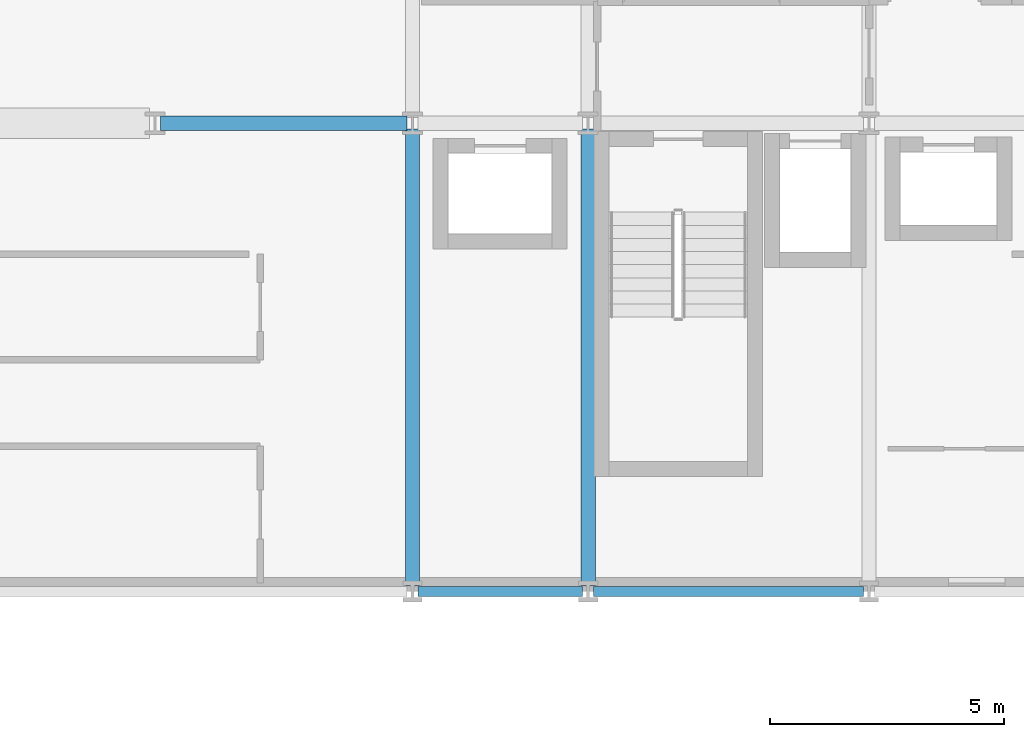
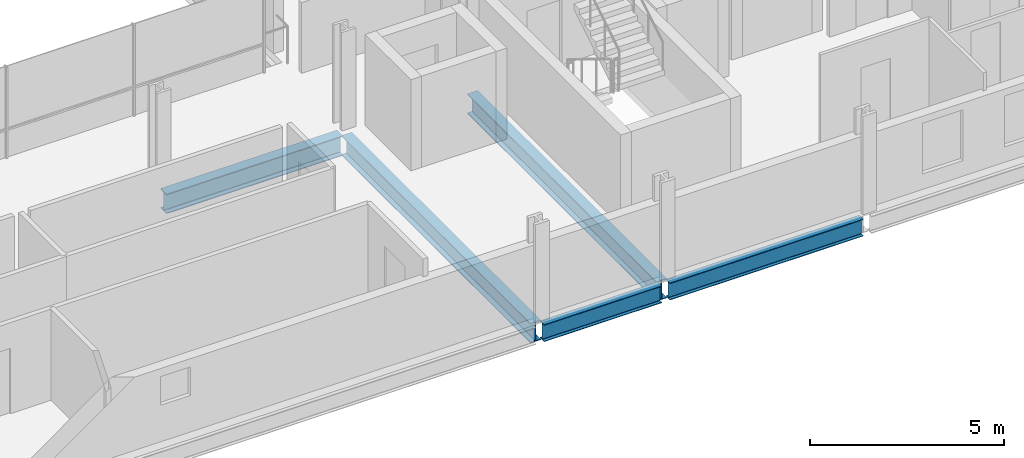
# One storey, part 12 of 41: 5 beams.
"""IFC4 building model written with IfcOpenShell, lengths in metres."""

from ifc_helpers import new_model, si_unit, direction, frame, origin, origin_2d, place, context, subcontext, project, spatial, i_section, extrude, material, material_profile, profile_set, type_object, element, save


model = new_model("IFC4")

# Units and contexts
model_context = context("Model", 3, precision=1e-05, world=origin(), true_north=direction((0.0, 1.0)))
body_context = subcontext(model_context, "Body", "Model", "MODEL_VIEW")
ifc_project = project(units=[si_unit("LENGTHUNIT", "METRE"), si_unit("AREAUNIT", "SQUARE_METRE"), si_unit("VOLUMEUNIT", "CUBIC_METRE"), si_unit("PLANEANGLEUNIT", "RADIAN"), si_unit("MASSUNIT", "GRAM", prefix="KILO")], contexts=[model_context])

# Site, building, storey
site_placement = place(None, origin())
site = spatial("IfcSite", under=ifc_project, at=site_placement, CompositionType="ELEMENT")
building_placement = place(site_placement, origin())
building = spatial("IfcBuilding", under=site, at=building_placement, Name="Brevholm Reach", CompositionType="ELEMENT")
storey_placement = place(building_placement, frame((0.0, 0.0, 43.5)))
storey = spatial("IfcBuildingStorey", under=building, at=storey_placement, Name="L11", CompositionType="ELEMENT", Elevation=43.5)

# Beams
ifc_material_1 = material(Name="Structural Steel S355J2", Category="steel")
ifc_material_profile_1 = material_profile(ifc_material_1, i_section(OverallWidth=0.210693359375, OverallDepth=0.53955078125, WebThickness=0.01171875, FlangeThickness=0.018798828125, FilletRadius=0.0126953125, at=origin_2d()), Name="UKB 533x210x109")
ifc_profile_set_1 = profile_set([ifc_material_profile_1], Name="Structural Steel S355J2")
beam_type_1 = type_object("IfcBeamType", Name="BM-SP539", PredefinedType="SPANDREL", material=ifc_profile_set_1)
beam_1_placement = place(storey_placement, frame((38.3701171875, 0.0, -0.499755859375), z_axis=(1.0, 0.0, 0.0), x_axis=(0.0, 1.0, 0.0)))
element("IfcBeam", 1, at=beam_1_placement, inside=storey, type_object=beam_type_1, Name="L11 SP-01B Framing Beam", PredefinedType="SPANDREL", context=body_context, shape_type="SweptSolid", body=[
    extrude(i_section(OverallWidth=0.210693359375, OverallDepth=0.53955078125, WebThickness=0.01171875, FlangeThickness=0.018798828125, FilletRadius=0.0126953125, at=origin_2d()), origin(), (0.0, 0.0, 1.0), 3.509765625),
])
beam_2_placement = place(storey_placement, frame((42.1201171875, 0.0, -0.499755859375), z_axis=(1.0, 0.0, 0.0), x_axis=(0.0, 1.0, 0.0)))
element("IfcBeam", 2, at=beam_2_placement, inside=storey, type_object=beam_type_1, Name="L11 SP-01B Framing Beam", PredefinedType="SPANDREL", context=body_context, shape_type="SweptSolid", body=[
    extrude(i_section(OverallWidth=0.210693359375, OverallDepth=0.53955078125, WebThickness=0.01171875, FlangeThickness=0.018798828125, FilletRadius=0.0126953125, at=origin_2d()), origin(), (0.0, 0.0, 1.0), 5.759765625),
])
ifc_material_2 = material(Name="Structural Steel S355J2", Category="steel")
ifc_material_profile_2 = material_profile(ifc_material_2, i_section(OverallWidth=0.30712890625, OverallDepth=0.6201171875, WebThickness=0.01416015625, FlangeThickness=0.023681640625, FilletRadius=0.0166015625, at=origin_2d()), Name="UKB 610x305x179")
ifc_profile_set_2 = profile_set([ifc_material_profile_2], Name="Structural Steel S355J2")
beam_type_2 = type_object("IfcBeamType", Name="BM-UKB610H", PredefinedType="USERDEFINED", material=ifc_profile_set_2)
beam_3_placement = place(storey_placement, frame((32.8701171875, 10.0, -0.5400390625), z_axis=(1.0, 0.0, 0.0), x_axis=(0.0, 1.0, 0.0)))
element("IfcBeam", 3, at=beam_3_placement, inside=storey, type_object=beam_type_2, Name="L11 G-06 Framing Beam", ObjectType="GIRDER", PredefinedType="USERDEFINED", context=body_context, shape_type="SweptSolid", body=[
    extrude(i_section(OverallWidth=0.30712890625, OverallDepth=0.6201171875, WebThickness=0.01416015625, FlangeThickness=0.023681640625, FilletRadius=0.0166015625, at=origin_2d()), origin(), (0.0, 0.0, 1.0), 5.259765625),
])
for number, where, z_axis, x_axis, name in (
    (4, (38.25, 0.1201171875, -0.5400390625), (0.0, 1.0, 0.0), (-1.0, 0.0, 0.0), "L11 G-06 Framing Beam"),
    (5, (42.0, 0.1201171875, -0.5400390625), (0.0, 1.0, 0.0), (-1.0, 0.0, 0.0), "L11 G-06 Framing Beam"),
):
    element("IfcBeam", number, at=place(storey_placement, frame(where, z_axis=z_axis, x_axis=x_axis)), inside=storey, type_object=beam_type_2, Name=name, ObjectType="GIRDER", PredefinedType="USERDEFINED", context=body_context, shape_type="SweptSolid", body=[
        extrude(i_section(OverallWidth=0.30712890625, OverallDepth=0.6201171875, WebThickness=0.01416015625, FlangeThickness=0.023681640625, FilletRadius=0.0166015625, at=origin_2d()), origin(), (0.0, 0.0, 1.0), 9.759765625),
    ])

save(model, "model.ifc")
